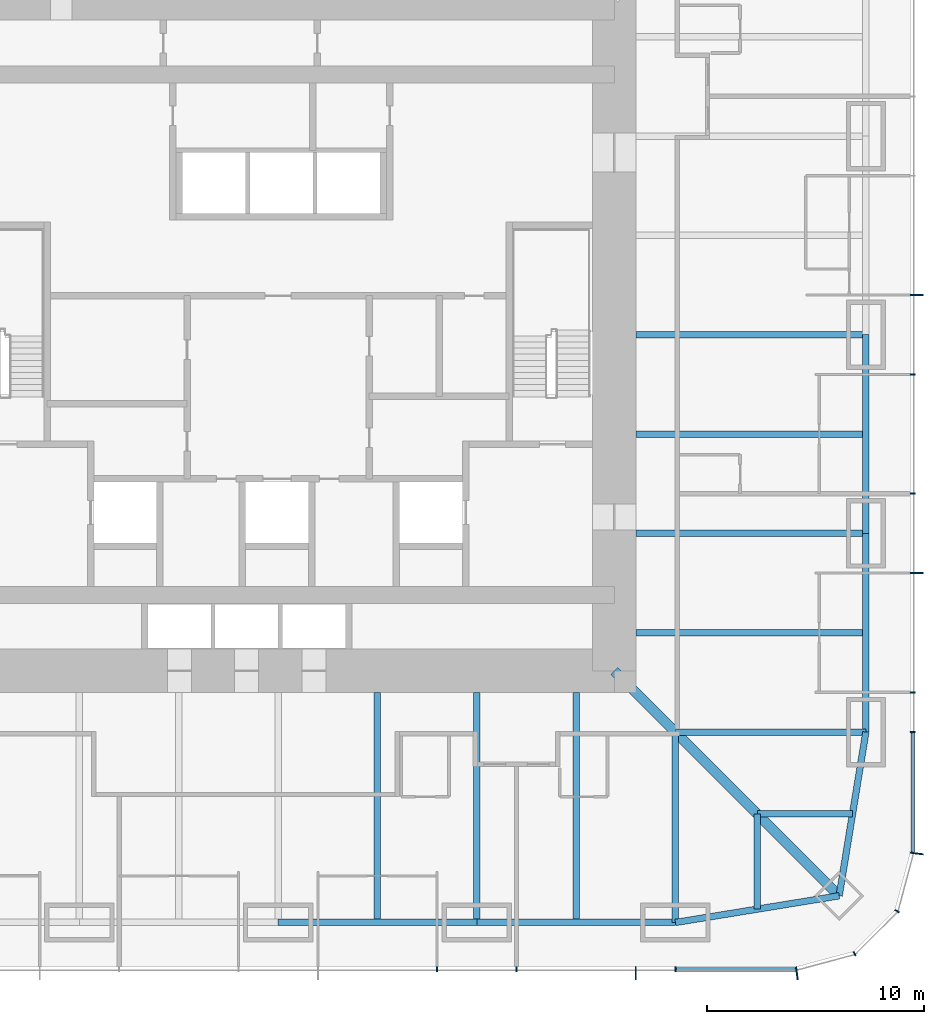
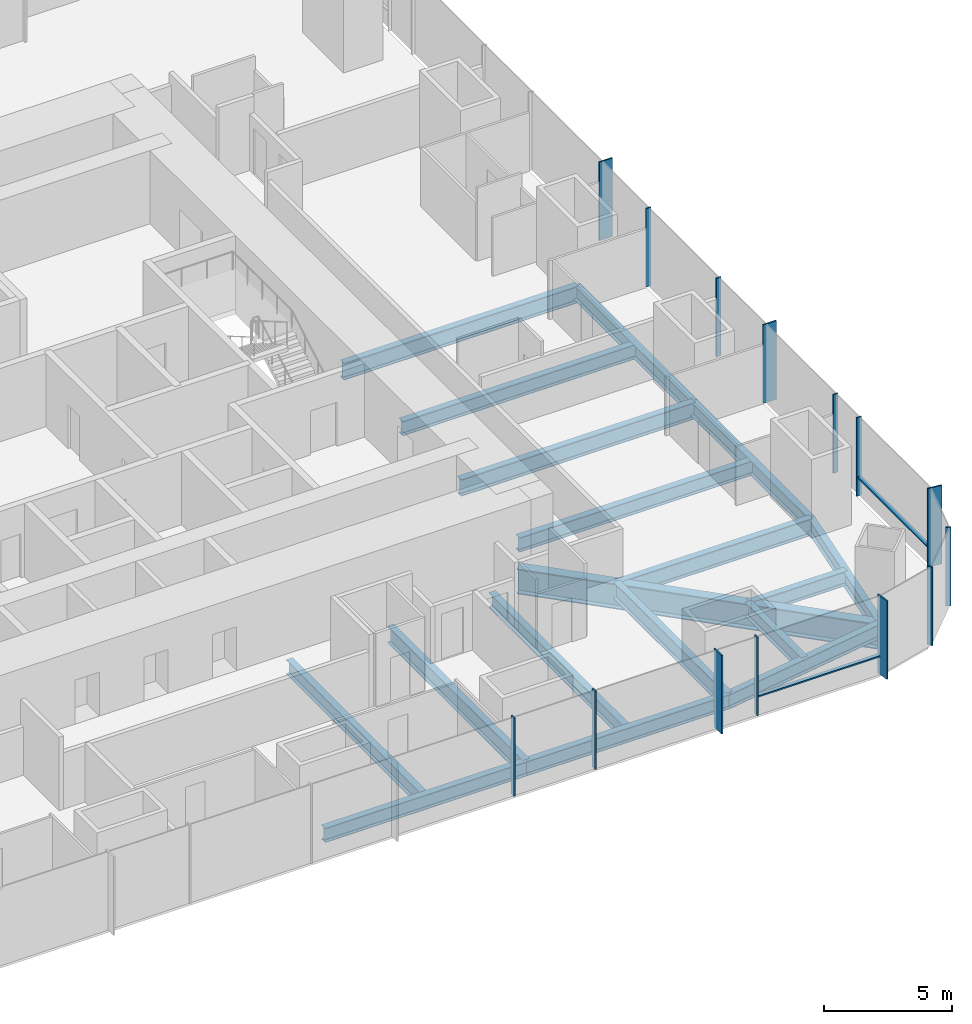
# One storey, part 4 of 13: 18 beams, 16 members, 3 elements without a shape of their own.
"""IFC4 building model written with IfcOpenShell, lengths in metres."""

from ifc_helpers import new_model, si_unit, direction, frame, origin, origin_2d, place, context, subcontext, project, spatial, rectangle, i_section, extrude, material, material_profile, profile_set, type_object, element, aggregate, save


model = new_model("IFC4")

# Units and contexts
model_context = context("Model", 3, precision=1e-05, world=origin(), true_north=direction((0.0, 1.0)))
body_context = subcontext(model_context, "Body", "Model", "MODEL_VIEW")
ifc_project = project(units=[si_unit("LENGTHUNIT", "METRE"), si_unit("AREAUNIT", "SQUARE_METRE"), si_unit("VOLUMEUNIT", "CUBIC_METRE"), si_unit("PLANEANGLEUNIT", "RADIAN"), si_unit("MASSUNIT", "GRAM", prefix="KILO")], contexts=[model_context])

# Site, building, storey
site_placement = place(None, origin())
site = spatial("IfcSite", under=ifc_project, at=site_placement, CompositionType="ELEMENT")
building_placement = place(site_placement, origin())
building = spatial("IfcBuilding", under=site, at=building_placement, Name="Khuree Lantern Residences", CompositionType="ELEMENT")
storey_placement = place(building_placement, frame((0.0, 0.0, 111.0)))
storey = spatial("IfcBuildingStorey", under=building, at=storey_placement, Name="L27", CompositionType="ELEMENT", Elevation=111.0)

# Beams
ifc_material_1 = material(Name="Steel S355", Category="steel")
ifc_material_profile_1 = material_profile(ifc_material_1, i_section(OverallWidth=0.300048828125, OverallDepth=0.68994140625, WebThickness=0.014404296875, FlangeThickness=0.027099609375, FilletRadius=0.027099609375, at=origin_2d()), Name="HE 700 A")
ifc_profile_set_1 = profile_set([ifc_material_profile_1], Name="Steel S355")
beam_type_1 = type_object("IfcBeamType", Name="B-21A SECONDARY BEAM HE 700 A", PredefinedType="BEAM", material=ifc_profile_set_1)
for number, where, z_axis, x_axis, name in (
    (1, (27.10009765625, -4.580078125, -0.594970703125), (-1.0, 0.0, 0.0), (0.0, -1.0, 0.0), "Secondary beam E4"),
    (2, (27.10009765625, -13.739990234375, -0.594970703125), (-1.0, 0.0, 0.0), (0.0, -1.0, 0.0), "Secondary beam E5"),
):
    element("IfcBeam", number, at=place(storey_placement, frame(where, z_axis=z_axis, x_axis=x_axis)), inside=storey, type_object=beam_type_1, Name=name, PredefinedType="BEAM", context=body_context, shape_type="SweptSolid", body=[
        extrude(i_section(OverallWidth=0.300048828125, OverallDepth=0.68994140625, WebThickness=0.014404296875, FlangeThickness=0.027099609375, FilletRadius=0.027099609375, at=origin_2d()), origin(), (0.0, 0.0, 1.0), 10.60009765625),
    ])
for number, where, z_axis, x_axis, name in (
    (3, (26.48486328125, -22.094970703125, -0.594970703125), (-1.0, 0.0, 0.0), (0.0, -1.0, 0.0), "Secondary beam E6"),
    (4, (22.094970703125, -26.48486328125, -0.594970703125), (0.0, 1.0, 0.0), (-1.0, 0.0, 0.0), "Secondary beam S1"),
):
    element("IfcBeam", number, at=place(storey_placement, frame(where, z_axis=z_axis, x_axis=x_axis)), inside=storey, type_object=beam_type_1, Name=name, PredefinedType="BEAM", context=body_context, shape_type="SweptSolid", body=[
        extrude(i_section(OverallWidth=0.300048828125, OverallDepth=0.68994140625, WebThickness=0.014404296875, FlangeThickness=0.027099609375, FilletRadius=0.027099609375, at=origin_2d()), origin(), (0.0, 0.0, 1.0), 4.389892578125),
    ])
for number, where, z_axis, x_axis, name in (
    (5, (13.739990234375, -27.10009765625, -0.594970703125), (0.0, 1.0, 0.0), (-1.0, 0.0, 0.0), "Secondary beam S2"),
    (6, (4.580078125, -27.10009765625, -0.594970703125), (0.0, 1.0, 0.0), (-1.0, 0.0, 0.0), "Secondary beam S3"),
):
    element("IfcBeam", number, at=place(storey_placement, frame(where, z_axis=z_axis, x_axis=x_axis)), inside=storey, type_object=beam_type_1, Name=name, PredefinedType="BEAM", context=body_context, shape_type="SweptSolid", body=[
        extrude(i_section(OverallWidth=0.300048828125, OverallDepth=0.68994140625, WebThickness=0.014404296875, FlangeThickness=0.027099609375, FilletRadius=0.027099609375, at=origin_2d()), origin(), (0.0, 0.0, 1.0), 10.60009765625),
    ])
ifc_material_profile_2 = material_profile(ifc_material_1, i_section(OverallWidth=0.300048828125, OverallDepth=0.68994140625, WebThickness=0.014404296875, FlangeThickness=0.027099609375, FilletRadius=0.027099609375, at=origin_2d()), Name="HE 700 A")
ifc_profile_set_2 = profile_set([ifc_material_profile_2], Name="Steel S355")
beam_type_2 = type_object("IfcBeamType", Name="E-21 SPANDREL BEAM HE 700 A", PredefinedType="SPANDREL", material=ifc_profile_set_2)
beam_1_placement = place(storey_placement, frame((27.10009765625, 0.0, -0.594970703125), z_axis=(0.0, -1.0, 0.0), x_axis=(1.0, 0.0, 0.0)))
element("IfcBeam", 7, at=beam_1_placement, inside=storey, type_object=beam_type_2, Name="Spandrel beam E4", PredefinedType="SPANDREL", context=body_context, shape_type="SweptSolid", body=[
    extrude(i_section(OverallWidth=0.300048828125, OverallDepth=0.68994140625, WebThickness=0.014404296875, FlangeThickness=0.027099609375, FilletRadius=0.027099609375, at=origin_2d()), origin(), (0.0, 0.0, 1.0), 9.159912109375),
])
beam_2_placement = place(storey_placement, frame((27.10009765625, -9.159912109375, -0.594970703125), z_axis=(0.0, -1.0, 0.0), x_axis=(1.0, 0.0, 0.0)))
element("IfcBeam", 8, at=beam_2_placement, inside=storey, type_object=beam_type_2, Name="Spandrel beam E5", PredefinedType="SPANDREL", context=body_context, shape_type="SweptSolid", body=[
    extrude(i_section(OverallWidth=0.300048828125, OverallDepth=0.68994140625, WebThickness=0.014404296875, FlangeThickness=0.027099609375, FilletRadius=0.027099609375, at=origin_2d()), origin(), (0.0, 0.0, 1.0), 9.16015625),
])
for number, where, z_axis, x_axis, name in (
    (9, (27.10009765625, -18.320068359375, -0.594970703125), (-0.160826723833, -0.986982656839, 0.0), (0.986982656839, -0.160826723833, 0.0), "Spandrel beam E6"),
    (10, (25.869873046875, -25.869873046875, -0.594970703125), (-0.986982656839, -0.160826723833, 0.0), (0.160826723833, -0.986982656839, 0.0), "Spandrel beam S1"),
):
    element("IfcBeam", number, at=place(storey_placement, frame(where, z_axis=z_axis, x_axis=x_axis)), inside=storey, type_object=beam_type_2, Name=name, PredefinedType="SPANDREL", context=body_context, shape_type="SweptSolid", body=[
        extrude(i_section(OverallWidth=0.300048828125, OverallDepth=0.68994140625, WebThickness=0.014404296875, FlangeThickness=0.027099609375, FilletRadius=0.027099609375, at=origin_2d()), origin(), (0.0, 0.0, 1.0), 7.6494140625),
    ])
beam_3_placement = place(storey_placement, frame((18.320068359375, -27.10009765625, -0.594970703125), z_axis=(-1.0, 0.0, 0.0), x_axis=(0.0, -1.0, 0.0)))
element("IfcBeam", 11, at=beam_3_placement, inside=storey, type_object=beam_type_2, Name="Spandrel beam S2", PredefinedType="SPANDREL", context=body_context, shape_type="SweptSolid", body=[
    extrude(i_section(OverallWidth=0.300048828125, OverallDepth=0.68994140625, WebThickness=0.014404296875, FlangeThickness=0.027099609375, FilletRadius=0.027099609375, at=origin_2d()), origin(), (0.0, 0.0, 1.0), 9.16015625),
])
beam_4_placement = place(storey_placement, frame((9.159912109375, -27.10009765625, -0.594970703125), z_axis=(-1.0, 0.0, 0.0), x_axis=(0.0, -1.0, 0.0)))
element("IfcBeam", 12, at=beam_4_placement, inside=storey, type_object=beam_type_2, Name="Spandrel beam S3", PredefinedType="SPANDREL", context=body_context, shape_type="SweptSolid", body=[
    extrude(i_section(OverallWidth=0.300048828125, OverallDepth=0.68994140625, WebThickness=0.014404296875, FlangeThickness=0.027099609375, FilletRadius=0.027099609375, at=origin_2d()), origin(), (0.0, 0.0, 1.0), 9.159912109375),
])

# Curtain wall, member
ifc_material_2 = material(Name="Bronze anodised aluminium", Category="aluminium")
curtain_wall_type_1 = type_object("IfcCurtainWallType", Name="CW-T2 TOWER CORNER CURTAIN WALL", PredefinedType="USERDEFINED", material=ifc_material_2)
curtain_wall_1_placement = place(storey_placement, origin())
curtain_wall_1 = element("IfcCurtainWall", 13, at=curtain_wall_1_placement, inside=storey, type_object=curtain_wall_type_1, Name="L27 SOUTH-EAST CORNER CURTAIN WALL", ObjectType="Faceted corner curtain wall", PredefinedType="USERDEFINED")
ifc_material_profile_3 = material_profile(ifc_material_2, rectangle(XDim=0.06494140625, YDim=0.60009765625, at=origin_2d()), Name="F1 65X600")
ifc_profile_set_3 = profile_set([ifc_material_profile_3], Name="Bronze anodised aluminium")
member_type_1 = type_object("IfcMemberType", Name="F1 BRONZE FIN MULLION TOWER 65X600", PredefinedType="MULLION", material=ifc_profile_set_3)
member_1_placement = place(storey_placement, frame((23.919677734375, -29.4501953125, 0.0), z_axis=(0.0, 0.0, 1.0), x_axis=(0.991444857305, 0.130526223125, 0.0)))
member_1 = element("IfcMember", 14, at=member_1_placement, type_object=member_type_1, Name="L27 SOUTH-EAST CORNER FIN MULLION 1", PredefinedType="MULLION", context=body_context, shape_type="SweptSolid", body=[
    extrude(rectangle(XDim=0.06494140625, YDim=0.60009765625, at=origin_2d()), origin(), (0.0, 0.0, 1.0), 3.75),
])

# Curtain wall, members
curtain_wall_type_2 = type_object("IfcCurtainWallType", Name="CW-T1 TOWER FACE CURTAIN WALL", PredefinedType="USERDEFINED", material=ifc_material_2)
curtain_wall_2_placement = place(storey_placement, origin())
curtain_wall_2 = element("IfcCurtainWall", 15, at=curtain_wall_2_placement, inside=storey, type_object=curtain_wall_type_2, Name="L27 EAST FACE CURTAIN WALL", ObjectType="Stick-built curtain wall", PredefinedType="USERDEFINED")
member_2_placement = place(storey_placement, frame((29.4501953125, -23.919677734375, 0.0), z_axis=(0.0, 0.0, 1.0), x_axis=(0.130526223125, 0.991444857305, 0.0)))
member_2 = element("IfcMember", 16, at=member_2_placement, type_object=member_type_1, Name="L27 EAST FACE FIN MULLION 4", PredefinedType="MULLION", context=body_context, shape_type="SweptSolid", body=[
    extrude(rectangle(XDim=0.06494140625, YDim=0.60009765625, at=origin_2d()), origin(), (0.0, 0.0, 1.0), 3.75),
])
member_3_placement = place(storey_placement, frame((29.449951171875, -10.991943359375, 0.0), z_axis=(0.0, 0.0, 1.0), x_axis=(0.0, 1.0, 0.0)))
member_3 = element("IfcMember", 17, at=member_3_placement, type_object=member_type_1, Name="L27 EAST FACE FIN MULLION 7", PredefinedType="MULLION", context=body_context, shape_type="SweptSolid", body=[
    extrude(rectangle(XDim=0.06494140625, YDim=0.60009765625, at=origin_2d()), origin(), (0.0, 0.0, 1.0), 3.75),
])
member_4_placement = place(storey_placement, frame((29.449951171875, 1.83203125, 0.0), z_axis=(0.0, 0.0, 1.0), x_axis=(0.0, 1.0, 0.0)))
member_4 = element("IfcMember", 18, at=member_4_placement, type_object=member_type_1, Name="L27 EAST FACE FIN MULLION 10", PredefinedType="MULLION", context=body_context, shape_type="SweptSolid", body=[
    extrude(rectangle(XDim=0.06494140625, YDim=0.60009765625, at=origin_2d()), origin(), (0.0, 0.0, 1.0), 3.75),
])

# Curtain wall, member
curtain_wall_3_placement = place(storey_placement, origin())
curtain_wall_3 = element("IfcCurtainWall", 19, at=curtain_wall_3_placement, inside=storey, type_object=curtain_wall_type_2, Name="L27 SOUTH FACE CURTAIN WALL", ObjectType="Stick-built curtain wall", PredefinedType="USERDEFINED")
member_5_placement = place(storey_placement, frame((16.488037109375, -29.449951171875, 0.0), z_axis=(0.0, 0.0, 1.0), x_axis=(1.0, 0.0, 0.0)))
member_5 = element("IfcMember", 20, at=member_5_placement, type_object=member_type_1, Name="L27 SOUTH FACE FIN MULLION 55", PredefinedType="MULLION", context=body_context, shape_type="SweptSolid", body=[
    extrude(rectangle(XDim=0.06494140625, YDim=0.60009765625, at=origin_2d()), origin(), (0.0, 0.0, 1.0), 3.75),
])

# Beams
ifc_material_profile_4 = material_profile(ifc_material_1, i_section(OverallWidth=0.300048828125, OverallDepth=0.800048828125, WebThickness=0.017578125, FlangeThickness=0.032958984375, FilletRadius=0.030029296875, at=origin_2d()), Name="HE 800 B")
ifc_profile_set_4 = profile_set([ifc_material_profile_4], Name="Steel S355")
beam_type_3 = type_object("IfcBeamType", Name="G-21 GIRDER HE 800 B", PredefinedType="BEAM", material=ifc_profile_set_4)
for number, where, z_axis, x_axis, name in (
    (21, (27.10009765625, 0.0, -0.64990234375), (-1.0, 0.0, 0.0), (0.0, -1.0, 0.0), "Girder E3"),
    (22, (27.10009765625, -9.159912109375, -0.64990234375), (-1.0, 0.0, 0.0), (0.0, -1.0, 0.0), "Girder E4"),
):
    element("IfcBeam", number, at=place(storey_placement, frame(where, z_axis=z_axis, x_axis=x_axis)), inside=storey, type_object=beam_type_3, Name=name, PredefinedType="BEAM", context=body_context, shape_type="SweptSolid", body=[
        extrude(i_section(OverallWidth=0.300048828125, OverallDepth=0.800048828125, WebThickness=0.017578125, FlangeThickness=0.032958984375, FilletRadius=0.030029296875, at=origin_2d()), origin(), (0.0, 0.0, 1.0), 10.60009765625),
    ])
for number, where, z_axis, x_axis, name in (
    (23, (27.10009765625, -18.320068359375, -0.64990234375), (-1.0, 0.0, 0.0), (0.0, -1.0, 0.0), "Girder E5"),
    (24, (18.320068359375, -27.10009765625, -0.64990234375), (0.0, 1.0, 0.0), (-1.0, 0.0, 0.0), "Girder S1"),
):
    element("IfcBeam", number, at=place(storey_placement, frame(where, z_axis=z_axis, x_axis=x_axis)), inside=storey, type_object=beam_type_3, Name=name, PredefinedType="BEAM", context=body_context, shape_type="SweptSolid", body=[
        extrude(i_section(OverallWidth=0.300048828125, OverallDepth=0.800048828125, WebThickness=0.017578125, FlangeThickness=0.032958984375, FilletRadius=0.030029296875, at=origin_2d()), origin(), (0.0, 0.0, 1.0), 8.780029296875),
    ])
beam_5_placement = place(storey_placement, frame((9.159912109375, -27.10009765625, -0.64990234375), z_axis=(0.0, 1.0, 0.0), x_axis=(-1.0, 0.0, 0.0)))
element("IfcBeam", 25, at=beam_5_placement, inside=storey, type_object=beam_type_3, Name="Girder S2", PredefinedType="BEAM", context=body_context, shape_type="SweptSolid", body=[
    extrude(i_section(OverallWidth=0.300048828125, OverallDepth=0.800048828125, WebThickness=0.017578125, FlangeThickness=0.032958984375, FilletRadius=0.030029296875, at=origin_2d()), origin(), (0.0, 0.0, 1.0), 10.60009765625),
])
ifc_material_profile_5 = material_profile(ifc_material_1, i_section(OverallWidth=0.449951171875, OverallDepth=1.199951171875, WebThickness=0.02490234375, FlangeThickness=0.044921875, at=origin_2d()), Name="WELDED I 1200X450X25X45")
ifc_profile_set_5 = profile_set([ifc_material_profile_5], Name="Steel S355")
beam_type_4 = type_object("IfcBeamType", Name="GD-21 CORNER GIRDER WELDED I 1200X450X25X45", PredefinedType="BEAM", material=ifc_profile_set_5)
beam_6_placement = place(storey_placement, frame((25.869873046875, -25.869873046875, -0.85009765625), z_axis=(-0.707106781187, 0.707106781187, 0.0), x_axis=(-0.707106781187, -0.707106781187, 0.0)))
element("IfcBeam", 26, at=beam_6_placement, inside=storey, type_object=beam_type_4, Name="Corner girder SE", PredefinedType="BEAM", context=body_context, shape_type="SweptSolid", body=[
    extrude(i_section(OverallWidth=0.449951171875, OverallDepth=1.199951171875, WebThickness=0.02490234375, FlangeThickness=0.044921875, at=origin_2d()), origin(), (0.0, 0.0, 1.0), 14.665283203125),
])

# Member
ifc_material_profile_6 = material_profile(ifc_material_2, rectangle(XDim=0.06494140625, YDim=0.219970703125, at=origin_2d()), Name="M1 65X220")
ifc_profile_set_6 = profile_set([ifc_material_profile_6], Name="Bronze anodised aluminium")
member_type_2 = type_object("IfcMemberType", Name="M1 BRONZE MULLION TOWER 65X220", PredefinedType="MULLION", material=ifc_profile_set_6)
member_6_placement = place(storey_placement, frame((26.580078125, -28.5419921875, 0.0), z_axis=(0.0, 0.0, 1.0), x_axis=(0.866025388199, 0.500000026995, 0.0)))
member_6 = element("IfcMember", 27, at=member_6_placement, type_object=member_type_2, Name="L27 SOUTH-EAST CORNER MULLION 2", PredefinedType="MULLION", context=body_context, shape_type="SweptSolid", body=[
    extrude(rectangle(XDim=0.06494140625, YDim=0.219970703125, at=origin_2d()), origin(), (0.0, 0.0, 1.0), 3.75),
])

member_7_placement = place(storey_placement, frame((28.5419921875, -26.580078125, 0.0), z_axis=(0.0, 0.0, 1.0), x_axis=(0.500000026995, 0.866025388199, 0.0)))
member_7 = element("IfcMember", 28, at=member_7_placement, type_object=member_type_2, Name="L27 SOUTH-EAST CORNER MULLION 3", PredefinedType="MULLION", context=body_context, shape_type="SweptSolid", body=[
    extrude(rectangle(XDim=0.06494140625, YDim=0.219970703125, at=origin_2d()), origin(), (0.0, 0.0, 1.0), 3.75),
])

aggregate(curtain_wall_1, [member_1, member_6, member_7])

member_8_placement = place(storey_placement, frame((29.260009765625, -18.320068359375, 0.0), z_axis=(0.0, 0.0, 1.0), x_axis=(0.0, 1.0, 0.0)))
member_8 = element("IfcMember", 29, at=member_8_placement, type_object=member_type_2, Name="L27 EAST FACE MULLION 5", PredefinedType="MULLION", context=body_context, shape_type="SweptSolid", body=[
    extrude(rectangle(XDim=0.06494140625, YDim=0.219970703125, at=origin_2d()), origin(), (0.0, 0.0, 1.0), 3.75),
])

member_9_placement = place(storey_placement, frame((29.260009765625, -16.488037109375, 0.0), z_axis=(0.0, 0.0, 1.0), x_axis=(0.0, 1.0, 0.0)))
member_9 = element("IfcMember", 30, at=member_9_placement, type_object=member_type_2, Name="L27 EAST FACE MULLION 6", PredefinedType="MULLION", context=body_context, shape_type="SweptSolid", body=[
    extrude(rectangle(XDim=0.06494140625, YDim=0.219970703125, at=origin_2d()), origin(), (0.0, 0.0, 1.0), 3.75),
])

member_10_placement = place(storey_placement, frame((29.260009765625, -7.327880859375, 0.0), z_axis=(0.0, 0.0, 1.0), x_axis=(0.0, 1.0, 0.0)))
member_10 = element("IfcMember", 31, at=member_10_placement, type_object=member_type_2, Name="L27 EAST FACE MULLION 8", PredefinedType="MULLION", context=body_context, shape_type="SweptSolid", body=[
    extrude(rectangle(XDim=0.06494140625, YDim=0.219970703125, at=origin_2d()), origin(), (0.0, 0.0, 1.0), 3.75),
])

member_11_placement = place(storey_placement, frame((29.260009765625, -1.83203125, 0.0), z_axis=(0.0, 0.0, 1.0), x_axis=(0.0, 1.0, 0.0)))
member_11 = element("IfcMember", 32, at=member_11_placement, type_object=member_type_2, Name="L27 EAST FACE MULLION 9", PredefinedType="MULLION", context=body_context, shape_type="SweptSolid", body=[
    extrude(rectangle(XDim=0.06494140625, YDim=0.219970703125, at=origin_2d()), origin(), (0.0, 0.0, 1.0), 3.75),
])

member_12_placement = place(storey_placement, frame((7.327880859375, -29.260009765625, 0.0), z_axis=(0.0, 0.0, 1.0), x_axis=(1.0, 0.0, 0.0)))
member_12 = element("IfcMember", 33, at=member_12_placement, type_object=member_type_2, Name="L27 SOUTH FACE MULLION 53", PredefinedType="MULLION", context=body_context, shape_type="SweptSolid", body=[
    extrude(rectangle(XDim=0.06494140625, YDim=0.219970703125, at=origin_2d()), origin(), (0.0, 0.0, 1.0), 3.75),
])

member_13_placement = place(storey_placement, frame((10.991943359375, -29.260009765625, 0.0), z_axis=(0.0, 0.0, 1.0), x_axis=(1.0, 0.0, 0.0)))
member_13 = element("IfcMember", 34, at=member_13_placement, type_object=member_type_2, Name="L27 SOUTH FACE MULLION 54", PredefinedType="MULLION", context=body_context, shape_type="SweptSolid", body=[
    extrude(rectangle(XDim=0.06494140625, YDim=0.219970703125, at=origin_2d()), origin(), (0.0, 0.0, 1.0), 3.75),
])

member_14_placement = place(storey_placement, frame((18.320068359375, -29.260009765625, 0.0), z_axis=(0.0, 0.0, 1.0), x_axis=(1.0, 0.0, 0.0)))
member_14 = element("IfcMember", 35, at=member_14_placement, type_object=member_type_2, Name="L27 SOUTH FACE MULLION 56", PredefinedType="MULLION", context=body_context, shape_type="SweptSolid", body=[
    extrude(rectangle(XDim=0.06494140625, YDim=0.219970703125, at=origin_2d()), origin(), (0.0, 0.0, 1.0), 3.75),
])

ifc_material_profile_7 = material_profile(ifc_material_2, rectangle(XDim=0.179931640625, YDim=0.06494140625, at=origin_2d()), Name="T1 180X65")
ifc_profile_set_7 = profile_set([ifc_material_profile_7], Name="Bronze anodised aluminium")
member_type_3 = type_object("IfcMemberType", Name="TRANSOM T1 TOWER 180X65", PredefinedType="USERDEFINED", material=ifc_profile_set_7)
member_15_placement = place(storey_placement, frame((29.27001953125, -23.851318359375, 0.89990234375), z_axis=(0.0, 1.0, 0.0), x_axis=(-1.0, 0.0, 0.0)))
member_15 = element("IfcMember", 36, at=member_15_placement, type_object=member_type_3, Name="L27 EAST FACE TRANSOM 4.1", ObjectType="Transom", PredefinedType="USERDEFINED", context=body_context, shape_type="SweptSolid", body=[
    extrude(rectangle(XDim=0.179931640625, YDim=0.06494140625, at=origin_2d()), origin(), (0.0, 0.0, 1.0), 5.498779296875),
])

aggregate(curtain_wall_2, [member_2, member_8, member_9, member_3, member_10, member_11, member_4, member_15])

member_16_placement = place(storey_placement, frame((18.3525390625, -29.27001953125, 0.89990234375), z_axis=(1.0, 0.0, 0.0), x_axis=(0.0, 1.0, 0.0)))
member_16 = element("IfcMember", 37, at=member_16_placement, type_object=member_type_3, Name="L27 SOUTH FACE TRANSOM 56.1", ObjectType="Transom", PredefinedType="USERDEFINED", context=body_context, shape_type="SweptSolid", body=[
    extrude(rectangle(XDim=0.179931640625, YDim=0.06494140625, at=origin_2d()), origin(), (0.0, 0.0, 1.0), 5.498779296875),
])

aggregate(curtain_wall_3, [member_12, member_13, member_5, member_14, member_16])

save(model, "model.ifc")
